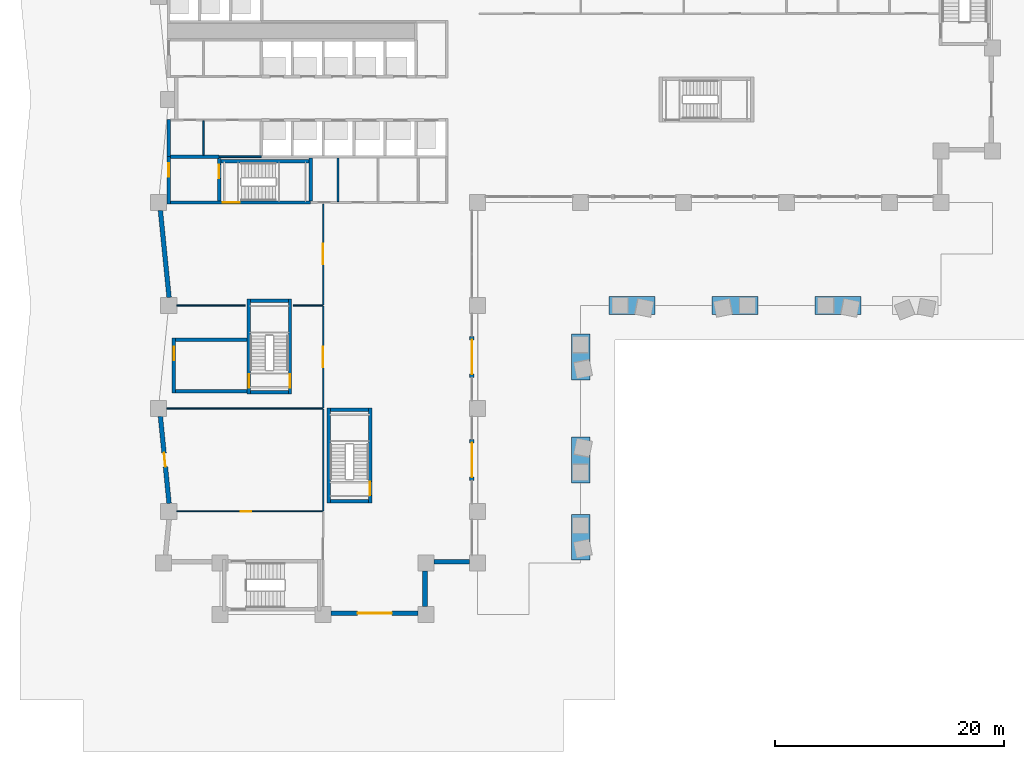
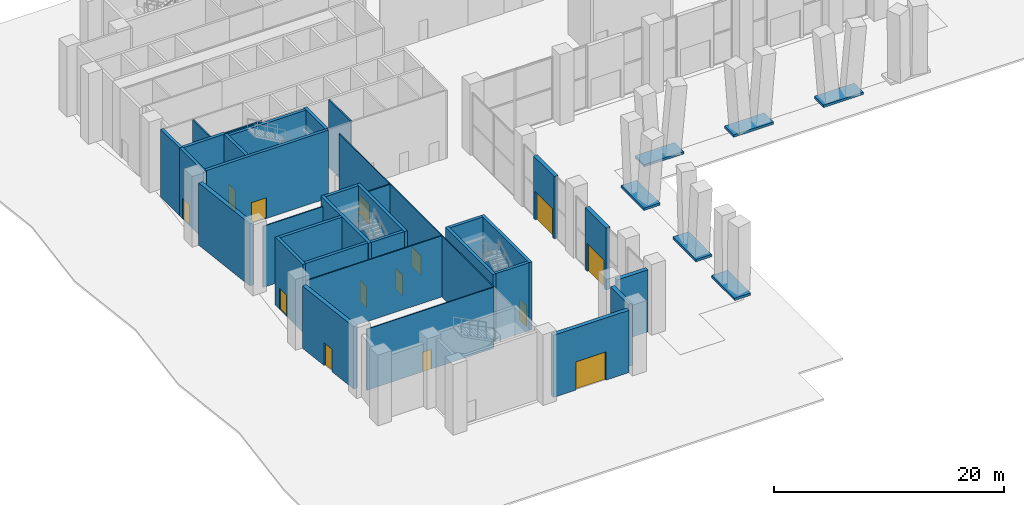
# One storey, part 7 of 16: 41 walls, 14 doors, 14 openings.
"""IFC4 building model written with IfcOpenShell, lengths in metres."""

from ifc_helpers import new_model, si_unit, direction, frame, frame_2d, origin, place, context, subcontext, project, spatial, rectangle, extrude, material, layer, layer_set, type_object, element, fill, save


model = new_model("IFC4")

# Units and contexts
model_context = context("Model", 3, precision=1e-05, world=origin(), true_north=direction((0.0, 1.0)))
body_context = subcontext(model_context, "Body", "Model", "MODEL_VIEW")
ifc_project = project(units=[si_unit("LENGTHUNIT", "METRE"), si_unit("AREAUNIT", "SQUARE_METRE"), si_unit("VOLUMEUNIT", "CUBIC_METRE"), si_unit("PLANEANGLEUNIT", "RADIAN"), si_unit("MASSUNIT", "GRAM", prefix="KILO")], contexts=[model_context])

# Site, building, storey
site_placement = place(None, origin())
site = spatial("IfcSite", under=ifc_project, at=site_placement, CompositionType="ELEMENT")
building_placement = place(site_placement, origin())
building = spatial("IfcBuilding", under=site, at=building_placement, Name="Brondeck Convention Tower", CompositionType="ELEMENT")
storey_placement = place(building_placement, origin())
storey = spatial("IfcBuildingStorey", under=building, at=storey_placement, Name="L00", CompositionType="ELEMENT", Elevation=0.0)

# Walls
ifc_material_1 = material(Name="Concrete C80/95", Category="concrete")
ifc_layer_1 = layer(ifc_material_1, 0.300048828125)
ifc_layer_set_1 = layer_set([ifc_layer_1], Name="Core outer wall 300 Concrete C80/95")
wall_type_1 = type_object("IfcWallType", Name="Core outer wall 300 Concrete C80/95", PredefinedType="SHEAR", material=ifc_layer_set_1)
wall_1_placement = place(storey_placement, frame((0.0, 40.0, 0.0), z_axis=(0.0, 0.0, 1.0), x_axis=(0.0, 1.0, 0.0)))
element("IfcWall", 1, at=wall_1_placement, inside=storey, type_object=wall_type_1, Name="L00 core wall", PredefinedType="SHEAR", context=body_context, shape_type="SweptSolid", body=[
    extrude(rectangle(XDim=3.27490234375, YDim=0.300048828125, at=frame_2d((1.637451171875, 0.0))), origin(), (0.0, 0.0, 1.0), 7.199951171875),
])
ifc_material_2 = material(Name="Fire-rated gypsum board partition")
ifc_layer_2 = layer(ifc_material_2, 0.14990234375)
ifc_layer_set_2 = layer_set([ifc_layer_2], Name="Core partition 150 EI 60")
wall_type_2 = type_object("IfcWallType", Name="Core partition 150 EI 60", PredefinedType="PARTITIONING", material=ifc_layer_set_2)
wall_2_placement = place(storey_placement, frame((4.39990234375, 40.0, 0.0), z_axis=(0.0, 0.0, 1.0), x_axis=(1.0, 0.0, 0.0)))
element("IfcWall", 2, at=wall_2_placement, inside=storey, type_object=wall_type_2, Name="L00 core wall", PredefinedType="PARTITIONING", context=body_context, shape_type="SweptSolid", body=[
    extrude(rectangle(XDim=3.7001953125, YDim=0.14990234375, at=frame_2d((1.85009765625, 0.0))), origin(), (0.0, 0.0, 1.0), 7.199951171875),
])
wall_3_placement = place(storey_placement, frame((3.050048828125, 40.14990234375, 0.0), z_axis=(0.0, 0.0, 1.0), x_axis=(0.0, 1.0, 0.0)))
element("IfcWall", 3, at=wall_3_placement, inside=storey, type_object=wall_type_2, Name="L00 core wall", PredefinedType="PARTITIONING", context=body_context, shape_type="SweptSolid", body=[
    extrude(rectangle(XDim=2.97509765625, YDim=0.14990234375, at=frame_2d((1.487548828125, 0.0))), origin(), (0.0, 0.0, 1.0), 7.199951171875),
])
wall_4_placement = place(storey_placement, frame((14.800048828125, 36.074951171875, 0.0), z_axis=(0.0, 0.0, 1.0), x_axis=(0.0, 1.0, 0.0)))
element("IfcWall", 4, at=wall_4_placement, inside=storey, type_object=wall_type_2, Name="L00 core wall", PredefinedType="PARTITIONING", context=body_context, shape_type="SweptSolid", body=[
    extrude(rectangle(XDim=3.800048828125, YDim=0.14990234375, at=frame_2d((1.89990234375, 0.0))), origin(), (0.0, 0.0, 1.0), 7.199951171875),
])

# Wall, opening, door
ifc_material_3 = material(Name="Limestone", Category="masonry")
ifc_layer_3 = layer(ifc_material_3, 0.10009765625, Name="Limestone facing")
ifc_material_4 = material(Name="Mineral wool")
ifc_layer_4 = layer(ifc_material_4, 0.159912109375, Name="Insulation")
ifc_material_5 = material(Name="Concrete C35/45", Category="concrete")
ifc_layer_5 = layer(ifc_material_5, 0.139892578125, Name="Backing")
ifc_layer_set_3 = layer_set([ifc_layer_3, ifc_layer_4, ifc_layer_5], Name="External wall, limestone cladding")
wall_type_3 = type_object("IfcWallType", Name="External wall, limestone cladding", PredefinedType="SOLIDWALL", material=ifc_layer_set_3)
wall_5_placement = place(storey_placement, frame((21.800048828125, 0.10009765625, 0.0), z_axis=(0.0, 0.0, 1.0), x_axis=(-1.0, 0.0, 0.0)))
wall_5 = element("IfcWall", 5, at=wall_5_placement, inside=storey, type_object=wall_type_3, Name="ENV-EW-L00-BASE-B-S-04", PredefinedType="SOLIDWALL", context=body_context, shape_type="SweptSolid", body=[
    extrude(rectangle(XDim=7.60009765625, YDim=0.39990234375, at=frame_2d((3.800048828125, 0.0))), origin(), (0.0, 0.0, 1.0), 6.60009765625),
])
opening_1_placement = place(wall_5_placement, frame((2.300048828125, 0.0, 0.0)))
opening_1 = element("IfcOpeningElement", 6, at=opening_1_placement, cuts=wall_5, Name="Opening DB-L00-ENT-S1", PredefinedType="OPENING", context=body_context, shape_type="SweptSolid", body=[
    extrude(rectangle(XDim=3.0, YDim=3.0, at=frame_2d((1.5, 1.5))), frame((0.0, 0.2099609375, 0.0), z_axis=(0.0, -1.0, 0.0), x_axis=(1.0, 0.0, 0.0)), (0.0, 0.0, 1.0), 0.419921875),
])
ifc_material_6 = material(Name="Aluminium, bronze anodised", Category="aluminium")
door_type_1 = type_object("IfcDoorType", Name="Entrance door set, double leaf", OperationType="DOUBLE_DOOR_SINGLE_SWING", PredefinedType="DOOR", material=ifc_material_6)
door_1_placement = place(opening_1_placement, origin())
door_1 = element("IfcDoor", 7, at=door_1_placement, inside=storey, type_object=door_type_1, Name="ENV-D-DB-L00-ENT-S1", OperationType="DOUBLE_DOOR_SINGLE_SWING", OverallHeight=3.0, OverallWidth=3.0, PredefinedType="DOOR", context=body_context, shape_type="SweptSolid", body=[
    extrude(rectangle(XDim=3.0, YDim=3.0, at=frame_2d((1.5, 1.5))), frame((0.0, 0.02490234375, 0.0), z_axis=(0.0, -1.0, 0.0), x_axis=(1.0, 0.0, 0.0)), (0.0, 0.0, 1.0), 0.050048828125),
])
fill(opening_1, door_1)

# Walls
for number, where, z_axis, x_axis, name in (
    (8, (22.39990234375, 3.800048828125, 0.0), (0.0, 0.0, 1.0), (0.0, -1.0, 0.0), "ENV-EW-L00-BASE-NC-SEB-01"),
    (9, (26.300048828125, 4.60009765625, 0.0), (0.0, 0.0, 1.0), (-1.0, 0.0, 0.0), "ENV-EW-L00-BASE-NC-SEB-02"),
):
    element("IfcWall", number, at=place(storey_placement, frame(where, z_axis=z_axis, x_axis=x_axis)), inside=storey, type_object=wall_type_3, Name=name, PredefinedType="SOLIDWALL", context=body_context, shape_type="SweptSolid", body=[
        extrude(rectangle(XDim=3.10009765625, YDim=0.39990234375, at=frame_2d((1.550048828125, 0.0))), origin(), (0.0, 0.0, 1.0), 6.60009765625),
    ])
wall_6_placement = place(storey_placement, frame((0.02978515625, 27.70654296875, 0.0), z_axis=(0.0, 0.0, 1.0), x_axis=(-0.099478423711, 0.995039719416, 0.0)))
element("IfcWall", 10, at=wall_6_placement, inside=storey, type_object=wall_type_3, Name="ENV-EW-L00-BASE-B-W-07", PredefinedType="SOLIDWALL", context=body_context, shape_type="SweptSolid", body=[
    extrude(rectangle(XDim=7.644775390625, YDim=0.39990234375, at=frame_2d((3.822265625, 0.0))), origin(), (0.0, 0.0, 1.0), 6.60009765625),
])

# Wall, opening, door
wall_7_placement = place(storey_placement, frame((0.02978515625, 9.70654296875, 0.0), z_axis=(0.0, 0.0, 1.0), x_axis=(-0.099478423711, 0.995039719416, 0.0)))
wall_7 = element("IfcWall", 11, at=wall_7_placement, inside=storey, type_object=wall_type_3, Name="ENV-EW-L00-BASE-B-W-11", PredefinedType="SOLIDWALL", context=body_context, shape_type="SweptSolid", body=[
    extrude(rectangle(XDim=7.644775390625, YDim=0.39990234375, at=frame_2d((3.822265625, 0.0))), origin(), (0.0, 0.0, 1.0), 6.60009765625),
])
opening_2_placement = place(wall_7_placement, frame((3.222412109375, 0.0, 0.0)))
opening_2 = element("IfcOpeningElement", 12, at=opening_2_placement, cuts=wall_7, Name="Opening DB-L00-SVC-B-W-2", PredefinedType="OPENING", context=body_context, shape_type="SweptSolid", body=[
    extrude(rectangle(XDim=1.199951171875, YDim=2.39990234375, at=frame_2d((0.60009765625, 1.199951171875))), frame((0.0, 0.2099609375, 0.0), z_axis=(0.0, -1.0, 0.0), x_axis=(1.0, 0.0, 0.0)), (0.0, 0.0, 1.0), 0.419921875),
])
ifc_material_7 = material(Name="Steel, fire-rated door leaf", Category="steel")
door_type_2 = type_object("IfcDoorType", Name="Service door, single leaf", OperationType="SINGLE_SWING_LEFT", PredefinedType="DOOR", material=ifc_material_7)
door_2_placement = place(opening_2_placement, origin())
door_2 = element("IfcDoor", 13, at=door_2_placement, inside=storey, type_object=door_type_2, Name="ENV-D-DB-L00-SVC-B-W-2", OperationType="SINGLE_SWING_RIGHT", OverallHeight=2.39990234375, OverallWidth=1.199951171875, PredefinedType="DOOR", context=body_context, shape_type="SweptSolid", body=[
    extrude(rectangle(XDim=1.199951171875, YDim=2.39990234375, at=frame_2d((0.60009765625, 1.199951171875))), frame((0.0, 0.02490234375, 0.0), z_axis=(0.0, -1.0, 0.0), x_axis=(1.0, 0.0, 0.0)), (0.0, 0.0, 1.0), 0.050048828125),
])
fill(opening_2, door_2)

wall_8_placement = place(storey_placement, frame((26.5, 15.300048828125, 0.0), z_axis=(0.0, 0.0, 1.0), x_axis=(0.0, -1.0, 0.0)))
wall_8 = element("IfcWall", 14, at=wall_8_placement, inside=storey, type_object=wall_type_3, Name="ENV-PW-L00-BASE-B-E-05", PredefinedType="SOLIDWALL", context=body_context, shape_type="SweptSolid", body=[
    extrude(rectangle(XDim=3.60009765625, YDim=0.39990234375, at=frame_2d((1.800048828125, 0.0))), origin(), (0.0, 0.0, 1.0), 6.60009765625),
])
opening_3_placement = place(wall_8_placement, frame((0.300048828125, 0.0, 0.0)))
opening_3 = element("IfcOpeningElement", 15, at=opening_3_placement, cuts=wall_8, Name="Opening DB-L00-ENT-B2", PredefinedType="OPENING", context=body_context, shape_type="SweptSolid", body=[
    extrude(rectangle(XDim=3.0, YDim=3.0, at=frame_2d((1.5, 1.5))), frame((0.0, 0.2099609375, 0.0), z_axis=(0.0, -1.0, 0.0), x_axis=(1.0, 0.0, 0.0)), (0.0, 0.0, 1.0), 0.419921875),
])
door_3_placement = place(opening_3_placement, origin())
door_3 = element("IfcDoor", 16, at=door_3_placement, inside=storey, type_object=door_type_1, Name="ENV-D-DB-L00-ENT-B2", OperationType="DOUBLE_DOOR_SINGLE_SWING", OverallHeight=3.0, OverallWidth=3.0, PredefinedType="DOOR", context=body_context, shape_type="SweptSolid", body=[
    extrude(rectangle(XDim=3.0, YDim=3.0, at=frame_2d((1.5, 1.5))), frame((0.0, 0.02490234375, 0.0), z_axis=(0.0, -1.0, 0.0), x_axis=(1.0, 0.0, 0.0)), (0.0, 0.0, 1.0), 0.050048828125),
])
fill(opening_3, door_3)

wall_9_placement = place(storey_placement, frame((26.5, 24.300048828125, 0.0), z_axis=(0.0, 0.0, 1.0), x_axis=(0.0, -1.0, 0.0)))
wall_9 = element("IfcWall", 17, at=wall_9_placement, inside=storey, type_object=wall_type_3, Name="ENV-PW-L00-BASE-B-E-03", PredefinedType="SOLIDWALL", context=body_context, shape_type="SweptSolid", body=[
    extrude(rectangle(XDim=3.60009765625, YDim=0.39990234375, at=frame_2d((1.800048828125, 0.0))), origin(), (0.0, 0.0, 1.0), 6.60009765625),
])
opening_4_placement = place(wall_9_placement, frame((0.300048828125, 0.0, 0.0)))
opening_4 = element("IfcOpeningElement", 18, at=opening_4_placement, cuts=wall_9, Name="Opening DB-L00-ENT-B1", PredefinedType="OPENING", context=body_context, shape_type="SweptSolid", body=[
    extrude(rectangle(XDim=3.0, YDim=3.0, at=frame_2d((1.5, 1.5))), frame((0.0, 0.2099609375, 0.0), z_axis=(0.0, -1.0, 0.0), x_axis=(1.0, 0.0, 0.0)), (0.0, 0.0, 1.0), 0.419921875),
])
door_4_placement = place(opening_4_placement, origin())
door_4 = element("IfcDoor", 19, at=door_4_placement, inside=storey, type_object=door_type_1, Name="ENV-D-DB-L00-ENT-B1", OperationType="DOUBLE_DOOR_SINGLE_SWING", OverallHeight=3.0, OverallWidth=3.0, PredefinedType="DOOR", context=body_context, shape_type="SweptSolid", body=[
    extrude(rectangle(XDim=3.0, YDim=3.0, at=frame_2d((1.5, 1.5))), frame((0.0, 0.02490234375, 0.0), z_axis=(0.0, -1.0, 0.0), x_axis=(1.0, 0.0, 0.0)), (0.0, 0.0, 1.0), 0.050048828125),
])
fill(opening_4, door_4)

ifc_material_8 = material(Name="Gypsum board partition on steel studs", Category="steel")
ifc_layer_6 = layer(ifc_material_8, 0.10009765625)
ifc_layer_set_4 = layer_set([ifc_layer_6], Name="Room partition 100")
wall_type_4 = type_object("IfcWallType", Name="Room partition 100", PredefinedType="PARTITIONING", material=ifc_layer_set_4)
wall_10_placement = place(storey_placement, frame((0.719970703125, 9.0, 0.0), z_axis=(0.0, 0.0, 1.0), x_axis=(1.0, 0.0, 0.0)))
wall_10 = element("IfcWall", 20, at=wall_10_placement, inside=storey, type_object=wall_type_4, Name="FLR-L00-W002", PredefinedType="PARTITIONING", context=body_context, shape_type="SweptSolid", body=[
    extrude(rectangle(XDim=12.72998046875, YDim=0.10009765625, at=frame_2d((6.364990234375, 0.0))), origin(), (0.0, 0.0, 1.0), 6.47998046875),
])
opening_5_placement = place(wall_10_placement, frame((5.580078125, 0.0, 0.0)))
opening_5 = element("IfcOpeningElement", 21, at=opening_5_placement, cuts=wall_10, Name="Opening P-L00-009", PredefinedType="OPENING", context=body_context, shape_type="SweptSolid", body=[
    extrude(rectangle(XDim=0.89990234375, YDim=2.10009765625, at=frame_2d((0.449951171875, 1.050048828125))), frame((0.0, 0.06005859375, 0.0), z_axis=(0.0, -1.0, 0.0), x_axis=(1.0, 0.0, 0.0)), (0.0, 0.0, 1.0), 0.1201171875),
])
ifc_material_9 = material(Name="Solid timber door leaf", Category="wood")
door_type_3 = type_object("IfcDoorType", Name="Single door 900", OperationType="NOTDEFINED", PredefinedType="DOOR", material=ifc_material_9)
door_5_placement = place(opening_5_placement, origin())
door_5 = element("IfcDoor", 22, at=door_5_placement, inside=storey, type_object=door_type_3, Name="Door P-L00-009", OperationType="SINGLE_SWING_LEFT", OverallHeight=2.10009765625, OverallWidth=0.89990234375, PredefinedType="DOOR", context=body_context, shape_type="SweptSolid", body=[
    extrude(rectangle(XDim=0.89990234375, YDim=2.10009765625, at=frame_2d((0.449951171875, 1.050048828125))), frame((0.0, 0.02490234375, 0.0), z_axis=(0.0, -1.0, 0.0), x_axis=(1.0, 0.0, 0.0)), (0.0, 0.0, 1.0), 0.050048828125),
])
fill(opening_5, door_5)

# Walls
wall_11_placement = place(storey_placement, frame((13.5, 9.050048828125, 0.0), z_axis=(0.0, 0.0, 1.0), x_axis=(0.0, 1.0, 0.0)))
element("IfcWall", 23, at=wall_11_placement, inside=storey, type_object=wall_type_4, Name="FLR-L00-W003", PredefinedType="PARTITIONING", context=body_context, shape_type="SweptSolid", body=[
    extrude(rectangle(XDim=8.89990234375, YDim=0.10009765625, at=frame_2d((4.449951171875, 0.0))), origin(), (0.0, 0.0, 1.0), 6.47998046875),
])
wall_12_placement = place(storey_placement, frame((-0.179931640625, 18.0, 0.0), z_axis=(0.0, 0.0, 1.0), x_axis=(1.0, 0.0, 0.0)))
element("IfcWall", 24, at=wall_12_placement, inside=storey, type_object=wall_type_4, Name="FLR-L00-W004", PredefinedType="PARTITIONING", context=body_context, shape_type="SweptSolid", body=[
    extrude(rectangle(XDim=13.6298828125, YDim=0.10009765625, at=frame_2d((6.81494140625, 0.0))), origin(), (0.0, 0.0, 1.0), 6.47998046875),
])

# Wall, opening, door
wall_13_placement = place(storey_placement, frame((13.5, 18.050048828125, 0.0), z_axis=(0.0, 0.0, 1.0), x_axis=(0.0, 1.0, 0.0)))
wall_13 = element("IfcWall", 25, at=wall_13_placement, inside=storey, type_object=wall_type_4, Name="FLR-L00-W005", PredefinedType="PARTITIONING", context=body_context, shape_type="SweptSolid", body=[
    extrude(rectangle(XDim=8.89990234375, YDim=0.10009765625, at=frame_2d((4.449951171875, 0.0))), origin(), (0.0, 0.0, 1.0), 6.47998046875),
])
opening_6_placement = place(wall_13_placement, frame((3.550048828125, 0.0, 0.0)))
opening_6 = element("IfcOpeningElement", 26, at=opening_6_placement, cuts=wall_13, Name="Opening P-L00-010", PredefinedType="OPENING", context=body_context, shape_type="SweptSolid", body=[
    extrude(rectangle(XDim=1.800048828125, YDim=2.10009765625, at=frame_2d((0.89990234375, 1.050048828125))), frame((0.0, 0.06005859375, 0.0), z_axis=(0.0, -1.0, 0.0), x_axis=(1.0, 0.0, 0.0)), (0.0, 0.0, 1.0), 0.1201171875),
])
ifc_material_10 = material(Name="Glazed timber double door", Category="wood")
door_type_4 = type_object("IfcDoorType", Name="Double door 1800", OperationType="DOUBLE_DOOR_SINGLE_SWING", PredefinedType="DOOR", material=ifc_material_10)
door_6_placement = place(opening_6_placement, origin())
door_6 = element("IfcDoor", 27, at=door_6_placement, inside=storey, type_object=door_type_4, Name="Door P-L00-010", OperationType="DOUBLE_DOOR_SINGLE_SWING", OverallHeight=2.10009765625, OverallWidth=1.800048828125, PredefinedType="DOOR", context=body_context, shape_type="SweptSolid", body=[
    extrude(rectangle(XDim=1.800048828125, YDim=2.10009765625, at=frame_2d((0.89990234375, 1.050048828125))), frame((0.0, 0.02490234375, 0.0), z_axis=(0.0, -1.0, 0.0), x_axis=(1.0, 0.0, 0.0)), (0.0, 0.0, 1.0), 0.050048828125),
])
fill(opening_6, door_6)

# Walls
wall_14_placement = place(storey_placement, frame((0.719970703125, 27.0, 0.0), z_axis=(0.0, 0.0, 1.0), x_axis=(1.0, 0.0, 0.0)))
element("IfcWall", 28, at=wall_14_placement, inside=storey, type_object=wall_type_4, Name="FLR-L00-W006", PredefinedType="PARTITIONING", context=body_context, shape_type="SweptSolid", body=[
    extrude(rectangle(XDim=5.97998046875, YDim=0.10009765625, at=frame_2d((2.989990234375, 0.0))), origin(), (0.0, 0.0, 1.0), 6.47998046875),
])
wall_15_placement = place(storey_placement, frame((10.89990234375, 27.0, 0.0), z_axis=(0.0, 0.0, 1.0), x_axis=(1.0, 0.0, 0.0)))
element("IfcWall", 29, at=wall_15_placement, inside=storey, type_object=wall_type_4, Name="FLR-L00-W007", PredefinedType="PARTITIONING", context=body_context, shape_type="SweptSolid", body=[
    extrude(rectangle(XDim=2.550048828125, YDim=0.10009765625, at=frame_2d((1.27490234375, 0.0))), origin(), (0.0, 0.0, 1.0), 6.47998046875),
])

# Wall, opening, door
wall_16_placement = place(storey_placement, frame((13.5, 27.050048828125, 0.0), z_axis=(0.0, 0.0, 1.0), x_axis=(0.0, 1.0, 0.0)))
wall_16 = element("IfcWall", 30, at=wall_16_placement, inside=storey, type_object=wall_type_4, Name="FLR-L00-W008", PredefinedType="PARTITIONING", context=body_context, shape_type="SweptSolid", body=[
    extrude(rectangle(XDim=8.800048828125, YDim=0.10009765625, at=frame_2d((4.39990234375, 0.0))), origin(), (0.0, 0.0, 1.0), 6.47998046875),
])
opening_7_placement = place(wall_16_placement, frame((3.550048828125, 0.0, 0.0)))
opening_7 = element("IfcOpeningElement", 31, at=opening_7_placement, cuts=wall_16, Name="Opening P-L00-011", PredefinedType="OPENING", context=body_context, shape_type="SweptSolid", body=[
    extrude(rectangle(XDim=1.800048828125, YDim=2.10009765625, at=frame_2d((0.89990234375, 1.050048828125))), frame((0.0, 0.06005859375, 0.0), z_axis=(0.0, -1.0, 0.0), x_axis=(1.0, 0.0, 0.0)), (0.0, 0.0, 1.0), 0.1201171875),
])
door_7_placement = place(opening_7_placement, origin())
door_7 = element("IfcDoor", 32, at=door_7_placement, inside=storey, type_object=door_type_4, Name="Door P-L00-011", OperationType="DOUBLE_DOOR_SINGLE_SWING", OverallHeight=2.10009765625, OverallWidth=1.800048828125, PredefinedType="DOOR", context=body_context, shape_type="SweptSolid", body=[
    extrude(rectangle(XDim=1.800048828125, YDim=2.10009765625, at=frame_2d((0.89990234375, 1.050048828125))), frame((0.0, 0.02490234375, 0.0), z_axis=(0.0, -1.0, 0.0), x_axis=(1.0, 0.0, 0.0)), (0.0, 0.0, 1.0), 0.050048828125),
])
fill(opening_7, door_7)

# Walls
ifc_layer_7 = layer(ifc_material_1, 0.300048828125)
ifc_layer_set_5 = layer_set([ifc_layer_7], Name="Stair enclosure wall 300 Concrete C80/95")
wall_type_5 = type_object("IfcWallType", Name="Stair enclosure wall 300 Concrete C80/95", PredefinedType="SHEAR", material=ifc_layer_set_5)
for number, where, z_axis, x_axis, name in (
    (33, (14.14990234375, 9.89990234375, 0.0), (0.0, 0.0, 1.0), (1.0, 0.0, 0.0), "L00 core wall"),
    (34, (14.14990234375, 17.89990234375, 0.0), (0.0, 0.0, 1.0), (1.0, 0.0, 0.0), "L00 core wall"),
    (35, (7.14990234375, 19.39990234375, 0.0), (0.0, 0.0, 1.0), (1.0, 0.0, 0.0), "L00 core wall"),
):
    element("IfcWall", number, at=place(storey_placement, frame(where, z_axis=z_axis, x_axis=x_axis)), inside=storey, type_object=wall_type_5, Name=name, PredefinedType="SHEAR", context=body_context, shape_type="SweptSolid", body=[
        extrude(rectangle(XDim=3.300048828125, YDim=0.300048828125, at=frame_2d((1.64990234375, 0.0))), origin(), (0.0, 0.0, 1.0), 7.199951171875),
    ])
for number, where, z_axis, x_axis, name in (
    (36, (0.60009765625, 19.5, 0.0), (0.0, 0.0, 1.0), (1.0, 0.0, 0.0), "L00 core wall"),
    (37, (0.60009765625, 24.0, 0.0), (0.0, 0.0, 1.0), (1.0, 0.0, 0.0), "L00 core wall"),
):
    element("IfcWall", number, at=place(storey_placement, frame(where, z_axis=z_axis, x_axis=x_axis)), inside=storey, type_object=wall_type_5, Name=name, PredefinedType="SHEAR", context=body_context, shape_type="SweptSolid", body=[
        extrude(rectangle(XDim=6.25, YDim=0.300048828125, at=frame_2d((3.125, 0.0))), origin(), (0.0, 0.0, 1.0), 7.199951171875),
    ])
wall_17_placement = place(storey_placement, frame((7.14990234375, 27.39990234375, 0.0), z_axis=(0.0, 0.0, 1.0), x_axis=(1.0, 0.0, 0.0)))
element("IfcWall", 38, at=wall_17_placement, inside=storey, type_object=wall_type_5, Name="L00 core wall", PredefinedType="SHEAR", context=body_context, shape_type="SweptSolid", body=[
    extrude(rectangle(XDim=3.300048828125, YDim=0.300048828125, at=frame_2d((1.64990234375, 0.0))), origin(), (0.0, 0.0, 1.0), 7.199951171875),
])

# Wall, opening, door
wall_18_placement = place(storey_placement, frame((0.14990234375, 36.0, 0.0), z_axis=(0.0, 0.0, 1.0), x_axis=(1.0, 0.0, 0.0)))
wall_18 = element("IfcWall", 39, at=wall_18_placement, inside=storey, type_object=wall_type_5, Name="L00 core wall", PredefinedType="SHEAR", context=body_context, shape_type="SweptSolid", body=[
    extrude(rectangle(XDim=12.25, YDim=0.300048828125, at=frame_2d((6.125, 0.0))), origin(), (0.0, 0.0, 1.0), 7.199951171875),
])
opening_8_placement = place(wall_18_placement, frame((4.550048828125, 0.0, 0.0)))
opening_8 = element("IfcOpeningElement", 40, at=opening_8_placement, cuts=wall_18, Name="Opening C02-15", PredefinedType="OPENING", context=body_context, shape_type="SweptSolid", body=[
    extrude(rectangle(XDim=1.5, YDim=2.199951171875, at=frame_2d((0.75, 1.10009765625))), frame((0.0, 0.159912109375, 0.0), z_axis=(0.0, -1.0, 0.0), x_axis=(1.0, 0.0, 0.0)), (0.0, 0.0, 1.0), 0.320068359375),
])
ifc_material_11 = material(Name="Steel fire door", Category="steel")
door_type_5 = type_object("IfcDoorType", Name="Stair door 1500x2200 EI 90", OperationType="NOTDEFINED", PredefinedType="DOOR", material=ifc_material_11)
door_8_placement = place(opening_8_placement, origin())
door_8 = element("IfcDoor", 41, at=door_8_placement, inside=storey, type_object=door_type_5, Name="L00 Stair door ST-1", OperationType="SINGLE_SWING_RIGHT", OverallHeight=2.199951171875, OverallWidth=1.5, PredefinedType="DOOR", context=body_context, shape_type="SweptSolid", body=[
    extrude(rectangle(XDim=1.5, YDim=2.199951171875, at=frame_2d((0.75, 1.10009765625))), frame((0.0, 0.02490234375, 0.0), z_axis=(0.0, -1.0, 0.0), x_axis=(1.0, 0.0, 0.0)), (0.0, 0.0, 1.0), 0.050048828125),
])
fill(opening_8, door_8)

# Walls
wall_19_placement = place(storey_placement, frame((4.550048828125, 39.60009765625, 0.0), z_axis=(0.0, 0.0, 1.0), x_axis=(1.0, 0.0, 0.0)))
element("IfcWall", 42, at=wall_19_placement, inside=storey, type_object=wall_type_5, Name="L00 core wall", PredefinedType="SHEAR", context=body_context, shape_type="SweptSolid", body=[
    extrude(rectangle(XDim=7.699951171875, YDim=0.300048828125, at=frame_2d((3.85009765625, 0.0))), origin(), (0.0, 0.0, 1.0), 7.199951171875),
])
wall_20_placement = place(storey_placement, frame((0.14990234375, 40.0, 0.0), z_axis=(0.0, 0.0, 1.0), x_axis=(1.0, 0.0, 0.0)))
element("IfcWall", 43, at=wall_20_placement, inside=storey, type_object=wall_type_5, Name="L00 core wall", PredefinedType="SHEAR", context=body_context, shape_type="SweptSolid", body=[
    extrude(rectangle(XDim=4.25, YDim=0.300048828125, at=frame_2d((2.125, 0.0))), origin(), (0.0, 0.0, 1.0), 7.199951171875),
])

# Wall, opening, door
wall_21_placement = place(storey_placement, frame((0.0, 35.85009765625, 0.0), z_axis=(0.0, 0.0, 1.0), x_axis=(0.0, 1.0, 0.0)))
wall_21 = element("IfcWall", 44, at=wall_21_placement, inside=storey, type_object=wall_type_5, Name="L00 core wall", PredefinedType="SHEAR", context=body_context, shape_type="SweptSolid", body=[
    extrude(rectangle(XDim=4.14990234375, YDim=0.300048828125, at=frame_2d((2.074951171875, 0.0))), origin(), (0.0, 0.0, 1.0), 7.199951171875),
])
opening_9_placement = place(wall_21_placement, frame((2.39990234375, 0.0, 0.0)))
opening_9 = element("IfcOpeningElement", 45, at=opening_9_placement, cuts=wall_21, Name="Opening C02-30", PredefinedType="OPENING", context=body_context, shape_type="SweptSolid", body=[
    extrude(rectangle(XDim=1.199951171875, YDim=2.199951171875, at=frame_2d((0.60009765625, 1.10009765625))), frame((0.0, 0.159912109375, 0.0), z_axis=(0.0, -1.0, 0.0), x_axis=(1.0, 0.0, 0.0)), (0.0, 0.0, 1.0), 0.320068359375),
])
door_type_6 = type_object("IfcDoorType", Name="Exit door external 1200x2200 EI 90", OperationType="NOTDEFINED", PredefinedType="DOOR", material=ifc_material_11)
door_9_placement = place(opening_9_placement, origin())
door_9 = element("IfcDoor", 46, at=door_9_placement, inside=storey, type_object=door_type_6, Name="L00 Exit door external XP-ST-1", OperationType="SINGLE_SWING_RIGHT", OverallHeight=2.199951171875, OverallWidth=1.199951171875, PredefinedType="DOOR", context=body_context, shape_type="SweptSolid", body=[
    extrude(rectangle(XDim=1.199951171875, YDim=2.199951171875, at=frame_2d((0.60009765625, 1.10009765625))), frame((0.0, 0.02490234375, 0.0), z_axis=(0.0, -1.0, 0.0), x_axis=(1.0, 0.0, 0.0)), (0.0, 0.0, 1.0), 0.050048828125),
])
fill(opening_9, door_9)

wall_22_placement = place(storey_placement, frame((0.449951171875, 19.35009765625, 0.0), z_axis=(0.0, 0.0, 1.0), x_axis=(0.0, 1.0, 0.0)))
wall_22 = element("IfcWall", 47, at=wall_22_placement, inside=storey, type_object=wall_type_5, Name="L00 core wall", PredefinedType="SHEAR", context=body_context, shape_type="SweptSolid", body=[
    extrude(rectangle(XDim=4.7998046875, YDim=0.300048828125, at=frame_2d((2.39990234375, 0.0))), origin(), (0.0, 0.0, 1.0), 7.199951171875),
])
opening_10_placement = place(wall_22_placement, frame((2.85009765625, 0.0, 0.0)))
opening_10 = element("IfcOpeningElement", 48, at=opening_10_placement, cuts=wall_22, Name="Opening C02-32", PredefinedType="OPENING", context=body_context, shape_type="SweptSolid", body=[
    extrude(rectangle(XDim=1.199951171875, YDim=2.199951171875, at=frame_2d((0.60009765625, 1.10009765625))), frame((0.0, 0.159912109375, 0.0), z_axis=(0.0, -1.0, 0.0), x_axis=(1.0, 0.0, 0.0)), (0.0, 0.0, 1.0), 0.320068359375),
])
door_10_placement = place(opening_10_placement, origin())
door_10 = element("IfcDoor", 49, at=door_10_placement, inside=storey, type_object=door_type_6, Name="L00 Exit door external XP-ST-BE", OperationType="SINGLE_SWING_RIGHT", OverallHeight=2.199951171875, OverallWidth=1.199951171875, PredefinedType="DOOR", context=body_context, shape_type="SweptSolid", body=[
    extrude(rectangle(XDim=1.199951171875, YDim=2.199951171875, at=frame_2d((0.60009765625, 1.10009765625))), frame((0.0, 0.02490234375, 0.0), z_axis=(0.0, -1.0, 0.0), x_axis=(1.0, 0.0, 0.0)), (0.0, 0.0, 1.0), 0.050048828125),
])
fill(opening_10, door_10)

wall_23_placement = place(storey_placement, frame((4.39990234375, 36.14990234375, 0.0), z_axis=(0.0, 0.0, 1.0), x_axis=(0.0, 1.0, 0.0)))
wall_23 = element("IfcWall", 50, at=wall_23_placement, inside=storey, type_object=wall_type_5, Name="L00 core wall", PredefinedType="SHEAR", context=body_context, shape_type="SweptSolid", body=[
    extrude(rectangle(XDim=3.7001953125, YDim=0.300048828125, at=frame_2d((1.85009765625, 0.0))), origin(), (0.0, 0.0, 1.0), 7.199951171875),
])
opening_11_placement = place(wall_23_placement, frame((1.949951171875, 0.0, 0.0)))
opening_11 = element("IfcOpeningElement", 51, at=opening_11_placement, cuts=wall_23, Name="Opening C02-24", PredefinedType="OPENING", context=body_context, shape_type="SweptSolid", body=[
    extrude(rectangle(XDim=1.199951171875, YDim=2.199951171875, at=frame_2d((0.60009765625, 1.10009765625))), frame((0.0, 0.159912109375, 0.0), z_axis=(0.0, -1.0, 0.0), x_axis=(1.0, 0.0, 0.0)), (0.0, 0.0, 1.0), 0.320068359375),
])
door_type_7 = type_object("IfcDoorType", Name="Exit door 1200x2200 EI 90", OperationType="NOTDEFINED", PredefinedType="DOOR", material=ifc_material_11)
door_11_placement = place(opening_11_placement, origin())
door_11 = element("IfcDoor", 52, at=door_11_placement, inside=storey, type_object=door_type_7, Name="L00 Exit door ST-1", OperationType="SINGLE_SWING_LEFT", OverallHeight=2.199951171875, OverallWidth=1.199951171875, PredefinedType="DOOR", context=body_context, shape_type="SweptSolid", body=[
    extrude(rectangle(XDim=1.199951171875, YDim=2.199951171875, at=frame_2d((0.60009765625, 1.10009765625))), frame((0.0, 0.02490234375, 0.0), z_axis=(0.0, -1.0, 0.0), x_axis=(1.0, 0.0, 0.0)), (0.0, 0.0, 1.0), 0.050048828125),
])
fill(opening_11, door_11)

wall_24_placement = place(storey_placement, frame((7.0, 19.25, 0.0), z_axis=(0.0, 0.0, 1.0), x_axis=(0.0, 1.0, 0.0)))
wall_24 = element("IfcWall", 53, at=wall_24_placement, inside=storey, type_object=wall_type_5, Name="L00 core wall", PredefinedType="SHEAR", context=body_context, shape_type="SweptSolid", body=[
    extrude(rectangle(XDim=8.300048828125, YDim=0.300048828125, at=frame_2d((4.14990234375, 0.0))), origin(), (0.0, 0.0, 1.0), 7.199951171875),
])
opening_12_placement = place(wall_24_placement, frame((0.550048828125, 0.0, 0.0)))
opening_12 = element("IfcOpeningElement", 54, at=opening_12_placement, cuts=wall_24, Name="Opening C02-28", PredefinedType="OPENING", context=body_context, shape_type="SweptSolid", body=[
    extrude(rectangle(XDim=1.199951171875, YDim=2.199951171875, at=frame_2d((0.60009765625, 1.10009765625))), frame((0.0, 0.159912109375, 0.0), z_axis=(0.0, -1.0, 0.0), x_axis=(1.0, 0.0, 0.0)), (0.0, 0.0, 1.0), 0.320068359375),
])
door_12_placement = place(opening_12_placement, origin())
door_12 = element("IfcDoor", 55, at=door_12_placement, inside=storey, type_object=door_type_7, Name="L00 Exit door ST-BE", OperationType="SINGLE_SWING_LEFT", OverallHeight=2.199951171875, OverallWidth=1.199951171875, PredefinedType="DOOR", context=body_context, shape_type="SweptSolid", body=[
    extrude(rectangle(XDim=1.199951171875, YDim=2.199951171875, at=frame_2d((0.60009765625, 1.10009765625))), frame((0.0, 0.02490234375, 0.0), z_axis=(0.0, -1.0, 0.0), x_axis=(1.0, 0.0, 0.0)), (0.0, 0.0, 1.0), 0.050048828125),
])
fill(opening_12, door_12)

wall_25_placement = place(storey_placement, frame((10.60009765625, 19.25, 0.0), z_axis=(0.0, 0.0, 1.0), x_axis=(0.0, 1.0, 0.0)))
wall_25 = element("IfcWall", 56, at=wall_25_placement, inside=storey, type_object=wall_type_5, Name="L00 core wall", PredefinedType="SHEAR", context=body_context, shape_type="SweptSolid", body=[
    extrude(rectangle(XDim=8.300048828125, YDim=0.300048828125, at=frame_2d((4.14990234375, 0.0))), origin(), (0.0, 0.0, 1.0), 7.199951171875),
])
opening_13_placement = place(wall_25_placement, frame((0.550048828125, 0.0, 0.0)))
opening_13 = element("IfcOpeningElement", 57, at=opening_13_placement, cuts=wall_25, Name="Opening C02-20", PredefinedType="OPENING", context=body_context, shape_type="SweptSolid", body=[
    extrude(rectangle(XDim=1.199951171875, YDim=2.199951171875, at=frame_2d((0.60009765625, 1.10009765625))), frame((0.0, 0.159912109375, 0.0), z_axis=(0.0, -1.0, 0.0), x_axis=(1.0, 0.0, 0.0)), (0.0, 0.0, 1.0), 0.320068359375),
])
door_type_8 = type_object("IfcDoorType", Name="Stair door 1200x2200 EI 90", OperationType="NOTDEFINED", PredefinedType="DOOR", material=ifc_material_11)
door_13_placement = place(opening_13_placement, origin())
door_13 = element("IfcDoor", 58, at=door_13_placement, inside=storey, type_object=door_type_8, Name="L00 Stair door ST-BE", OperationType="SINGLE_SWING_RIGHT", OverallHeight=2.199951171875, OverallWidth=1.199951171875, PredefinedType="DOOR", context=body_context, shape_type="SweptSolid", body=[
    extrude(rectangle(XDim=1.199951171875, YDim=2.199951171875, at=frame_2d((0.60009765625, 1.10009765625))), frame((0.0, 0.02490234375, 0.0), z_axis=(0.0, -1.0, 0.0), x_axis=(1.0, 0.0, 0.0)), (0.0, 0.0, 1.0), 0.050048828125),
])
fill(opening_13, door_13)

# Walls
wall_26_placement = place(storey_placement, frame((12.39990234375, 36.14990234375, 0.0), z_axis=(0.0, 0.0, 1.0), x_axis=(0.0, 1.0, 0.0)))
element("IfcWall", 59, at=wall_26_placement, inside=storey, type_object=wall_type_5, Name="L00 core wall", PredefinedType="SHEAR", context=body_context, shape_type="SweptSolid", body=[
    extrude(rectangle(XDim=3.72509765625, YDim=0.300048828125, at=frame_2d((1.862548828125, 0.0))), origin(), (0.0, 0.0, 1.0), 7.199951171875),
])
wall_27_placement = place(storey_placement, frame((14.0, 9.75, 0.0), z_axis=(0.0, 0.0, 1.0), x_axis=(0.0, 1.0, 0.0)))
element("IfcWall", 60, at=wall_27_placement, inside=storey, type_object=wall_type_5, Name="L00 core wall", PredefinedType="SHEAR", context=body_context, shape_type="SweptSolid", body=[
    extrude(rectangle(XDim=8.300048828125, YDim=0.300048828125, at=frame_2d((4.14990234375, 0.0))), origin(), (0.0, 0.0, 1.0), 7.199951171875),
])

# Wall, opening, door
wall_28_placement = place(storey_placement, frame((17.60009765625, 9.75, 0.0), z_axis=(0.0, 0.0, 1.0), x_axis=(0.0, 1.0, 0.0)))
wall_28 = element("IfcWall", 61, at=wall_28_placement, inside=storey, type_object=wall_type_5, Name="L00 core wall", PredefinedType="SHEAR", context=body_context, shape_type="SweptSolid", body=[
    extrude(rectangle(XDim=8.300048828125, YDim=0.300048828125, at=frame_2d((4.14990234375, 0.0))), origin(), (0.0, 0.0, 1.0), 7.199951171875),
])
opening_14_placement = place(wall_28_placement, frame((0.64990234375, 0.0, 0.0)))
opening_14 = element("IfcOpeningElement", 62, at=opening_14_placement, cuts=wall_28, Name="Opening C02-21", PredefinedType="OPENING", context=body_context, shape_type="SweptSolid", body=[
    extrude(rectangle(XDim=1.199951171875, YDim=2.199951171875, at=frame_2d((0.60009765625, 1.10009765625))), frame((0.0, 0.159912109375, 0.0), z_axis=(0.0, -1.0, 0.0), x_axis=(1.0, 0.0, 0.0)), (0.0, 0.0, 1.0), 0.320068359375),
])
door_14_placement = place(opening_14_placement, origin())
door_14 = element("IfcDoor", 63, at=door_14_placement, inside=storey, type_object=door_type_8, Name="L00 Stair door ST-BF", OperationType="SINGLE_SWING_LEFT", OverallHeight=2.199951171875, OverallWidth=1.199951171875, PredefinedType="DOOR", context=body_context, shape_type="SweptSolid", body=[
    extrude(rectangle(XDim=1.199951171875, YDim=2.199951171875, at=frame_2d((0.60009765625, 1.10009765625))), frame((0.0, 0.02490234375, 0.0), z_axis=(0.0, -1.0, 0.0), x_axis=(1.0, 0.0, 0.0)), (0.0, 0.0, 1.0), 0.050048828125),
])
fill(opening_14, door_14)

# Walls
ifc_layer_8 = layer(ifc_material_1, 1.60009765625)
ifc_layer_set_6 = layer_set([ifc_layer_8], Name="V node block 1600 Concrete C80/95")
wall_type_6 = type_object("IfcWallType", Name="V node block 1600 Concrete C80/95", PredefinedType="SHEAR", material=ifc_layer_set_6)
for number, where, z_axis, x_axis, name in (
    (64, (38.5, 27.0, 0.0), (0.0, 0.0, 1.0), (1.0, 0.0, 0.0), "V node block V-A-S-1"),
    (65, (47.5, 27.0, 0.0), (0.0, 0.0, 1.0), (1.0, 0.0, 0.0), "V node block V-A-S-2"),
    (66, (56.5, 27.0, 0.0), (0.0, 0.0, 1.0), (1.0, 0.0, 0.0), "V node block V-A-S-3"),
    (67, (36.0, 20.5, 0.0), (0.0, 0.0, 1.0), (0.0, 1.0, 0.0), "V node block V-B-E-1"),
    (68, (36.0, 11.5, 0.0), (0.0, 0.0, 1.0), (0.0, 1.0, 0.0), "V node block V-B-E-2"),
    (69, (36.0, 4.75, 0.0), (0.0, 0.0, 1.0), (0.0, 1.0, 0.0), "V node block V-B-E-3"),
):
    element("IfcWall", number, at=place(storey_placement, frame(where, z_axis=z_axis, x_axis=x_axis)), inside=storey, type_object=wall_type_6, Name=name, PredefinedType="SHEAR", context=body_context, shape_type="SweptSolid", body=[
        extrude(rectangle(XDim=4.0, YDim=1.60009765625, at=frame_2d((2.0, 0.0))), origin(), (0.0, 0.0, 1.0), 0.25),
    ])

save(model, "model.ifc")
